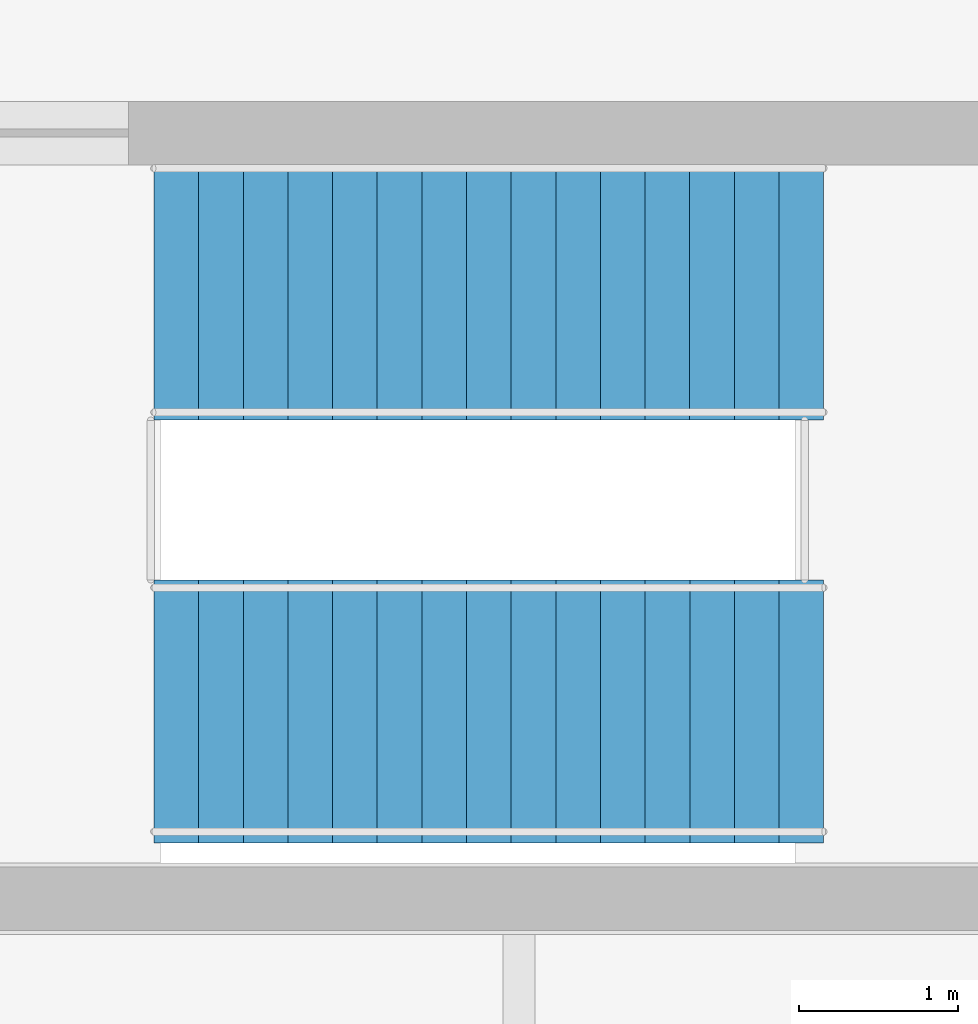
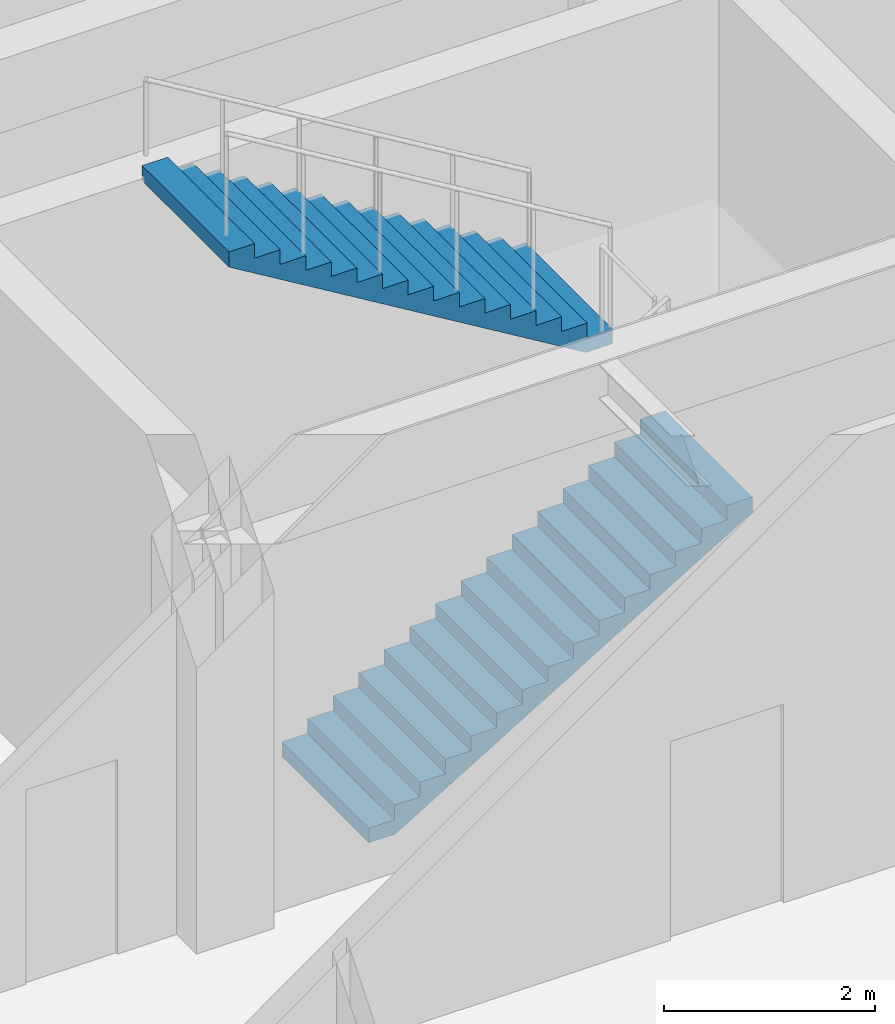
# One storey, part 61 of 68: 2 stair flights, 1 element without a shape of its own.
"""IFC4 building model written with IfcOpenShell, lengths in metres."""

from ifc_helpers import new_model, si_unit, direction, frame, origin, place, context, subcontext, project, spatial, polyline, outline, extrude, material, type_object, element, aggregate, save


model = new_model("IFC4")

# Units and contexts
model_context = context("Model", 3, precision=1e-05, world=origin(), true_north=direction((0.0, 1.0)))
body_context = subcontext(model_context, "Body", "Model", "MODEL_VIEW")
ifc_project = project(units=[si_unit("LENGTHUNIT", "METRE"), si_unit("AREAUNIT", "SQUARE_METRE"), si_unit("VOLUMEUNIT", "CUBIC_METRE"), si_unit("PLANEANGLEUNIT", "RADIAN"), si_unit("MASSUNIT", "GRAM", prefix="KILO")], contexts=[model_context])

# Site, building, storey
site_placement = place(None, origin())
site = spatial("IfcSite", under=ifc_project, at=site_placement, CompositionType="ELEMENT")
building_placement = place(site_placement, origin())
building = spatial("IfcBuilding", under=site, at=building_placement, Name="Chengyuan Square Courthouse", CompositionType="ELEMENT")
storey_placement = place(building_placement, frame((0.0, 0.0, 5.39990234375)))
storey = spatial("IfcBuildingStorey", under=building, at=storey_placement, Name="L02", CompositionType="ELEMENT", Elevation=5.39990234375)

# Stair, stair flights
ifc_material = material(Name="Concrete C40", Category="concrete")
stair_type = type_object("IfcStairType", Name="ST-TYPE-10", PredefinedType="HALF_TURN_STAIR", material=ifc_material)
stair_placement = place(storey_placement, origin())
stair = element("IfcStair", 1, at=stair_placement, inside=storey, type_object=stair_type, Name="Smoke-Proof Exit Stair ST-10 (L02 to L03)", PredefinedType="HALF_TURN_STAIR")
stair_flight_type = type_object("IfcStairFlightType", Name="STF-TYPE-10", PredefinedType="STRAIGHT", material=ifc_material)
stair_flight_1_placement = place(storey_placement, frame((144.7099609375, 87.574951171875, 0.0), z_axis=(0.0, 0.0, 1.0), x_axis=(1.0, 0.0, 0.0)))
stair_flight_1 = element("IfcStairFlight", 2, at=stair_flight_1_placement, type_object=stair_flight_type, Name="ST-10 flight 1", NumberOfRisers=16, NumberOfTreads=15, PredefinedType="STRAIGHT", RiserHeight=0.16875, TreadLength=0.28, context=body_context, shape_type="SweptSolid", body=[
    extrude(outline(polyline([(0.0, 0.0), (0.0, 0.168701171875), (0.280029296875, 0.168701171875), (0.280029296875, 0.33740234375), (0.56005859375, 0.33740234375), (0.56005859375, 0.50634765625), (0.840087890625, 0.50634765625), (0.840087890625, 0.675048828125), (1.1201171875, 0.675048828125), (1.1201171875, 0.84375), (1.39990234375, 0.84375), (1.39990234375, 1.012451171875), (1.679931640625, 1.012451171875), (1.679931640625, 1.18115234375), (1.9599609375, 1.18115234375), (1.9599609375, 1.35009765625), (2.239990234375, 1.35009765625), (2.239990234375, 1.518798828125), (2.52001953125, 1.518798828125), (2.52001953125, 1.6875), (2.800048828125, 1.6875), (2.800048828125, 1.856201171875), (3.080078125, 1.856201171875), (3.080078125, 2.02490234375), (3.360107421875, 2.02490234375), (3.360107421875, 2.19384765625), (3.639892578125, 2.19384765625), (3.639892578125, 2.362548828125), (3.919921875, 2.362548828125), (3.919921875, 2.53125), (4.199951171875, 2.53125), (4.199951171875, 2.699951171875), (4.199951171875, 2.356201171875), (0.29052734375, 0.0), (0.0, 0.0)])), frame((0.0, 0.824951171875, 0.0), z_axis=(0.0, -1.0, 0.0), x_axis=(1.0, 0.0, 0.0)), (0.0, 0.0, 1.0), 1.64990234375),
])
stair_flight_2_placement = place(storey_placement, frame((148.909912109375, 90.22509765625, 2.7001953125), z_axis=(0.0, 0.0, 1.0), x_axis=(-1.0, 0.0, 0.0)))
stair_flight_2 = element("IfcStairFlight", 3, at=stair_flight_2_placement, type_object=stair_flight_type, Name="ST-10 flight 2", NumberOfRisers=16, NumberOfTreads=15, PredefinedType="STRAIGHT", RiserHeight=0.16875, TreadLength=0.28, context=body_context, shape_type="SweptSolid", body=[
    extrude(outline(polyline([(0.0, 0.0), (0.0, 0.168701171875), (0.280029296875, 0.168701171875), (0.280029296875, 0.33740234375), (0.56005859375, 0.33740234375), (0.56005859375, 0.50634765625), (0.840087890625, 0.50634765625), (0.840087890625, 0.675048828125), (1.1201171875, 0.675048828125), (1.1201171875, 0.84375), (1.39990234375, 0.84375), (1.39990234375, 1.012451171875), (1.679931640625, 1.012451171875), (1.679931640625, 1.18115234375), (1.9599609375, 1.18115234375), (1.9599609375, 1.35009765625), (2.239990234375, 1.35009765625), (2.239990234375, 1.518798828125), (2.52001953125, 1.518798828125), (2.52001953125, 1.6875), (2.800048828125, 1.6875), (2.800048828125, 1.856201171875), (3.080078125, 1.856201171875), (3.080078125, 2.02490234375), (3.360107421875, 2.02490234375), (3.360107421875, 2.19384765625), (3.639892578125, 2.19384765625), (3.639892578125, 2.362548828125), (3.919921875, 2.362548828125), (3.919921875, 2.53125), (4.199951171875, 2.53125), (4.199951171875, 2.699951171875), (4.199951171875, 2.356201171875), (0.29052734375, 0.0), (0.0, 0.0)])), frame((0.0, 0.824951171875, 0.0), z_axis=(0.0, -1.0, 0.0), x_axis=(1.0, 0.0, 0.0)), (0.0, 0.0, 1.0), 1.64990234375),
])
aggregate(stair, [stair_flight_1, stair_flight_2])

save(model, "model.ifc")
